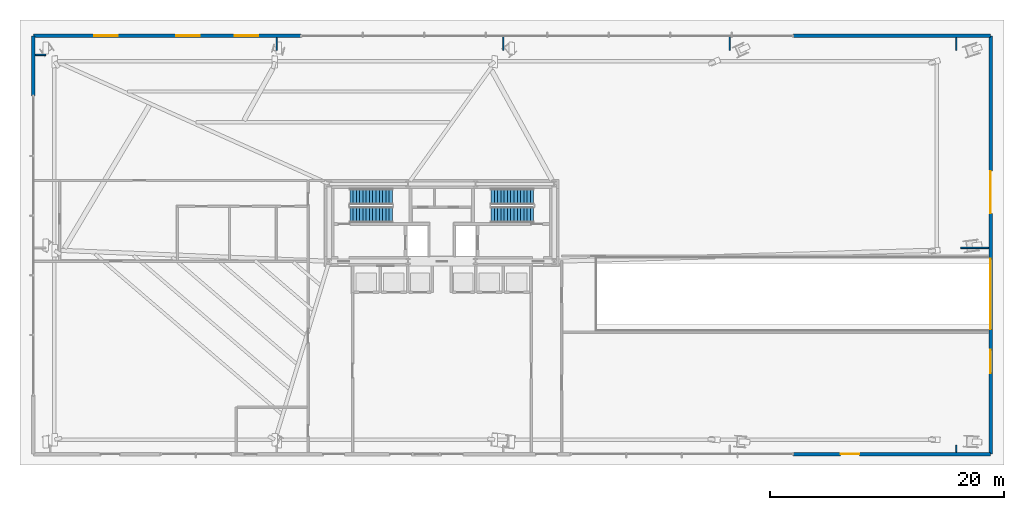
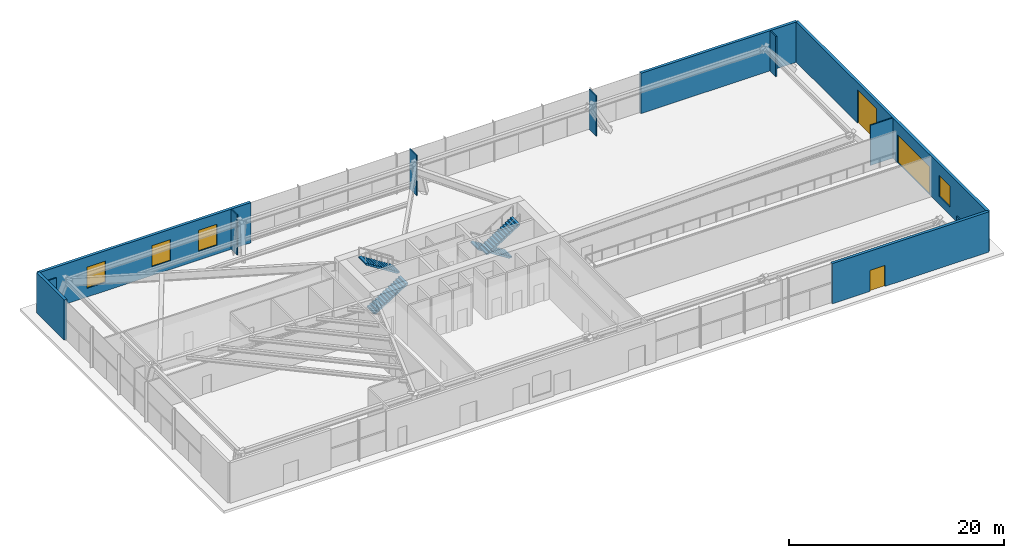
# One storey, part 26 of 31: 12 walls, 4 stair flights, 4 windows, 3 doors, 7 openings, 2 elements without a shape of their own.
"""IFC4 building model written with IfcOpenShell, lengths in metres."""

from ifc_helpers import new_model, si_unit, direction, frame, frame_2d, origin, place, context, subcontext, project, spatial, polyline, rectangle, outline, extrude, source, transform, mapped, material, layer, layer_set, type_object, type_shapes, element, fill, aggregate, save


model = new_model("IFC4")

# Units and contexts
model_context = context("Model", 3, precision=1e-05, world=origin(), true_north=direction((0.0, 1.0)))
body_context = subcontext(model_context, "Body", "Model", "MODEL_VIEW")
ifc_project = project(units=[si_unit("LENGTHUNIT", "METRE"), si_unit("AREAUNIT", "SQUARE_METRE"), si_unit("VOLUMEUNIT", "CUBIC_METRE"), si_unit("PLANEANGLEUNIT", "RADIAN"), si_unit("MASSUNIT", "GRAM", prefix="KILO")], contexts=[model_context])

# Site, building, storey
site_placement = place(None, origin())
site = spatial("IfcSite", under=ifc_project, at=site_placement, CompositionType="ELEMENT")
building_placement = place(site_placement, origin())
building = spatial("IfcBuilding", under=site, at=building_placement, Name="Astriad Promenade Condominiums", CompositionType="ELEMENT")
storey_placement = place(building_placement, origin())
storey = spatial("IfcBuildingStorey", under=building, at=storey_placement, Name="L00", CompositionType="ELEMENT", Elevation=0.0)

# Wall
ifc_material_1 = material(Name="Precast concrete C50/60", Category="concrete")
ifc_layer_1 = layer(ifc_material_1, 0.300048828125)
ifc_layer_set_1 = layer_set([ifc_layer_1], Name="Precast concrete C50/60")
wall_type_1 = type_object("IfcWallType", Name="WALL-EXT-POD-300", PredefinedType="STANDARD", material=ifc_layer_set_1)
wall_1_placement = place(storey_placement, frame((1.14990234375, 31.5, 0.0), z_axis=(0.0, 0.0, 1.0), x_axis=(0.0, 1.0, 0.0)))
element("IfcWall", 1, at=wall_1_placement, inside=storey, type_object=wall_type_1, Name="W-EXT-L00-W2", PredefinedType="STANDARD", context=body_context, shape_type="SweptSolid", body=[
    extrude(rectangle(XDim=5.14990234375, YDim=0.300048828125, at=frame_2d((2.574951171875, 0.0))), origin(), (0.0, 0.0, 1.0), 4.580078125),
])

# Wall, openings, windows
wall_2_placement = place(storey_placement, frame((1.14990234375, 36.64990234375, 0.0), z_axis=(0.0, 0.0, 1.0), x_axis=(1.0, 0.0, 0.0)))
wall_2 = element("IfcWall", 2, at=wall_2_placement, inside=storey, type_object=wall_type_1, Name="W-EXT-L00-N1", PredefinedType="STANDARD", context=body_context, shape_type="SweptSolid", body=[
    extrude(rectangle(XDim=22.85009765625, YDim=0.300048828125, at=frame_2d((11.425048828125, 0.0))), origin(), (0.0, 0.0, 1.0), 4.580078125),
])
opening_1_placement = place(wall_2_placement, frame((5.199951171875, 0.0, 1.0)))
opening_1 = element("IfcOpeningElement", 3, at=opening_1_placement, cuts=wall_2, Name="Opening WIN-POD-2024", PredefinedType="OPENING", context=body_context, shape_type="SweptSolid", body=[
    extrude(rectangle(XDim=2.0, YDim=2.39990234375, at=frame_2d((1.0, 1.199951171875))), frame((0.0, 0.159912109375, 0.0), z_axis=(0.0, -1.0, 0.0), x_axis=(1.0, 0.0, 0.0)), (0.0, 0.0, 1.0), 0.320068359375),
])
opening_2_placement = place(wall_2_placement, frame((12.199951171875, 0.0, 1.0)))
opening_2 = element("IfcOpeningElement", 4, at=opening_2_placement, cuts=wall_2, Name="Opening WIN-POD-2024", PredefinedType="OPENING", context=body_context, shape_type="SweptSolid", body=[
    extrude(rectangle(XDim=2.0, YDim=2.39990234375, at=frame_2d((1.0, 1.199951171875))), frame((0.0, 0.159912109375, 0.0), z_axis=(0.0, -1.0, 0.0), x_axis=(1.0, 0.0, 0.0)), (0.0, 0.0, 1.0), 0.320068359375),
])
opening_3_placement = place(wall_2_placement, frame((17.199951171875, 0.0, 1.0)))
opening_3 = element("IfcOpeningElement", 5, at=opening_3_placement, cuts=wall_2, Name="Opening WIN-POD-2024", PredefinedType="OPENING", context=body_context, shape_type="SweptSolid", body=[
    extrude(rectangle(XDim=2.0, YDim=2.39990234375, at=frame_2d((1.0, 1.199951171875))), frame((0.0, 0.159912109375, 0.0), z_axis=(0.0, -1.0, 0.0), x_axis=(1.0, 0.0, 0.0)), (0.0, 0.0, 1.0), 0.320068359375),
])
ifc_material_2 = material(Name="Dark Tinted Storefront Window")
window_type = type_object("IfcWindowType", Name="WIN-POD-2024", PartitioningType="SINGLE_PANEL", PredefinedType="WINDOW", material=ifc_material_2)
shared_shape_1 = source(origin(), body_context, "Body", "SweptSolid", [
    extrude(rectangle(XDim=2.0, YDim=2.39990234375, at=frame_2d((1.0, 1.199951171875))), frame((0.0, 0.030029296875, 0.0), z_axis=(0.0, -1.0, 0.0), x_axis=(1.0, 0.0, 0.0)), (0.0, 0.0, 1.0), 0.06005859375),
])
type_shapes(window_type, [shared_shape_1])
window_1_placement = place(opening_1_placement, origin())
window_1 = element("IfcWindow", 6, at=window_1_placement, inside=storey, type_object=window_type, Name="WIN-L00-N-1", OverallHeight=2.39990234375, OverallWidth=2.0, PartitioningType="SINGLE_PANEL", PredefinedType="WINDOW", context=body_context, shape_type="MappedRepresentation", body=[
    mapped(shared_shape_1, transform((0.0, 0.0, 0.0), scale=1.0)),
])
fill(opening_1, window_1)
window_2_placement = place(opening_2_placement, origin())
window_2 = element("IfcWindow", 7, at=window_2_placement, inside=storey, type_object=window_type, Name="WIN-L00-N-2", OverallHeight=2.39990234375, OverallWidth=2.0, PartitioningType="SINGLE_PANEL", PredefinedType="WINDOW", context=body_context, shape_type="MappedRepresentation", body=[
    mapped(shared_shape_1, transform((0.0, 0.0, 0.0), scale=1.0)),
])
fill(opening_2, window_2)
window_3_placement = place(opening_3_placement, origin())
window_3 = element("IfcWindow", 8, at=window_3_placement, inside=storey, type_object=window_type, Name="WIN-L00-N-3", OverallHeight=2.39990234375, OverallWidth=2.0, PartitioningType="SINGLE_PANEL", PredefinedType="WINDOW", context=body_context, shape_type="MappedRepresentation", body=[
    mapped(shared_shape_1, transform((0.0, 0.0, 0.0), scale=1.0)),
])
fill(opening_3, window_3)

# Wall
wall_3_placement = place(storey_placement, frame((66.0, 36.64990234375, 0.0), z_axis=(0.0, 0.0, 1.0), x_axis=(1.0, 0.0, 0.0)))
element("IfcWall", 9, at=wall_3_placement, inside=storey, type_object=wall_type_1, Name="W-EXT-L00-N2", PredefinedType="STANDARD", context=body_context, shape_type="SweptSolid", body=[
    extrude(rectangle(XDim=16.85009765625, YDim=0.300048828125, at=frame_2d((8.425048828125, 0.0))), origin(), (0.0, 0.0, 1.0), 4.580078125),
])

# Wall, openings, window, doors
wall_4_placement = place(storey_placement, frame((82.85009765625, 36.64990234375, 0.0), z_axis=(0.0, 0.0, 1.0), x_axis=(0.0, -1.0, 0.0)))
wall_4 = element("IfcWall", 10, at=wall_4_placement, inside=storey, type_object=wall_type_1, Name="W-EXT-L00-E1", PredefinedType="STANDARD", context=body_context, shape_type="SweptSolid", body=[
    extrude(rectangle(XDim=35.699951171875, YDim=0.300048828125, at=frame_2d((17.85009765625, 0.0))), origin(), (0.0, 0.0, 1.0), 4.580078125),
])
opening_4_placement = place(wall_4_placement, frame((11.550048828125, 0.0, 0.0)))
opening_4 = element("IfcOpeningElement", 11, at=opening_4_placement, cuts=wall_4, Name="Opening LG-3638-DOCK", PredefinedType="OPENING", context=body_context, shape_type="SweptSolid", body=[
    extrude(rectangle(XDim=3.60009765625, YDim=3.800048828125, at=frame_2d((1.800048828125, 1.89990234375))), frame((0.0, 0.159912109375, 0.0), z_axis=(0.0, -1.0, 0.0), x_axis=(1.0, 0.0, 0.0)), (0.0, 0.0, 1.0), 0.320068359375),
])
opening_5_placement = place(wall_4_placement, frame((19.050048828125, 0.0, 0.0)))
opening_5 = element("IfcOpeningElement", 12, at=opening_5_placement, cuts=wall_4, Name="Opening VG-6032-RAMP", PredefinedType="OPENING", context=body_context, shape_type="SweptSolid", body=[
    extrude(rectangle(XDim=6.0, YDim=3.199951171875, at=frame_2d((3.0, 1.60009765625))), frame((0.0, 0.159912109375, 0.0), z_axis=(0.0, -1.0, 0.0), x_axis=(1.0, 0.0, 0.0)), (0.0, 0.0, 1.0), 0.320068359375),
])
opening_6_placement = place(wall_4_placement, frame((26.800048828125, 0.0, 0.89990234375)))
opening_6 = element("IfcOpeningElement", 13, at=opening_6_placement, cuts=wall_4, Name="Opening WIN-POD-2024", PredefinedType="OPENING", context=body_context, shape_type="SweptSolid", body=[
    extrude(rectangle(XDim=2.0, YDim=2.39990234375, at=frame_2d((1.0, 1.199951171875))), frame((0.0, 0.159912109375, 0.0), z_axis=(0.0, -1.0, 0.0), x_axis=(1.0, 0.0, 0.0)), (0.0, 0.0, 1.0), 0.320068359375),
])
window_4_placement = place(opening_6_placement, origin())
window_4 = element("IfcWindow", 14, at=window_4_placement, inside=storey, type_object=window_type, Name="WIN-L00-E1", OverallHeight=2.39990234375, OverallWidth=2.0, PartitioningType="SINGLE_PANEL", PredefinedType="WINDOW", context=body_context, shape_type="MappedRepresentation", body=[
    mapped(shared_shape_1, transform((0.0, 0.0, 0.0), scale=1.0)),
])
fill(opening_6, window_4)
ifc_material_3 = material(Name="Insulated Galvanised Steel Loading Shutter", Category="steel")
door_type_1 = type_object("IfcDoorType", Name="LG-3638-DOCK", OperationType="NOTDEFINED", PredefinedType="GATE", material=ifc_material_3)
shared_shape_2 = source(origin(), body_context, "Body", "SweptSolid", [
    extrude(rectangle(XDim=3.60009765625, YDim=3.800048828125, at=frame_2d((1.800048828125, 1.89990234375))), frame((0.0, 0.02490234375, 0.0), z_axis=(0.0, -1.0, 0.0), x_axis=(1.0, 0.0, 0.0)), (0.0, 0.0, 1.0), 0.050048828125),
])
type_shapes(door_type_1, [shared_shape_2])
door_1_placement = place(opening_4_placement, origin())
door_1 = element("IfcDoor", 15, at=door_1_placement, inside=storey, type_object=door_type_1, Name="LG1", OperationType="ROLLINGUP", OverallHeight=3.800048828125, OverallWidth=3.60009765625, PredefinedType="GATE", context=body_context, shape_type="MappedRepresentation", body=[
    mapped(shared_shape_2, transform((0.0, 0.0, 0.0), scale=1.0)),
])
fill(opening_4, door_1)
ifc_material_4 = material(Name="Insulated Galvanised Steel High-Speed Shutter", Category="steel")
door_type_2 = type_object("IfcDoorType", Name="VG-6032-RAMP", OperationType="NOTDEFINED", PredefinedType="GATE", material=ifc_material_4)
shared_shape_3 = source(origin(), body_context, "Body", "SweptSolid", [
    extrude(rectangle(XDim=6.0, YDim=3.199951171875, at=frame_2d((3.0, 1.60009765625))), frame((0.0, 0.02490234375, 0.0), z_axis=(0.0, -1.0, 0.0), x_axis=(1.0, 0.0, 0.0)), (0.0, 0.0, 1.0), 0.050048828125),
])
type_shapes(door_type_2, [shared_shape_3])
door_2_placement = place(opening_5_placement, origin())
door_2 = element("IfcDoor", 16, at=door_2_placement, inside=storey, type_object=door_type_2, Name="VG1", OperationType="ROLLINGUP", OverallHeight=3.199951171875, OverallWidth=6.0, PredefinedType="GATE", context=body_context, shape_type="MappedRepresentation", body=[
    mapped(shared_shape_3, transform((0.0, 0.0, 0.0), scale=1.0)),
])
fill(opening_5, door_2)

# Wall, opening, door
wall_5_placement = place(storey_placement, frame((82.85009765625, 0.949951171875, 0.0), z_axis=(0.0, 0.0, 1.0), x_axis=(-1.0, 0.0, 0.0)))
wall_5 = element("IfcWall", 17, at=wall_5_placement, inside=storey, type_object=wall_type_1, Name="W-EXT-L00-S1", PredefinedType="STANDARD", context=body_context, shape_type="SweptSolid", body=[
    extrude(rectangle(XDim=16.85009765625, YDim=0.300048828125, at=frame_2d((8.425048828125, 0.0))), origin(), (0.0, 0.0, 1.0), 4.580078125),
])
opening_7_placement = place(wall_5_placement, frame((11.199951171875, 0.0, 0.0)))
opening_7 = element("IfcOpeningElement", 18, at=opening_7_placement, cuts=wall_5, Name="Opening ED-1624-RET", PredefinedType="OPENING", context=body_context, shape_type="SweptSolid", body=[
    extrude(rectangle(XDim=1.60009765625, YDim=2.39990234375, at=frame_2d((0.800048828125, 1.199951171875))), frame((0.0, 0.159912109375, 0.0), z_axis=(0.0, -1.0, 0.0), x_axis=(1.0, 0.0, 0.0)), (0.0, 0.0, 1.0), 0.320068359375),
])
ifc_material_5 = material(Name="Anodised Aluminium Storefront Door", Category="aluminium")
door_type_3 = type_object("IfcDoorType", Name="ED-1624-RET", OperationType="NOTDEFINED", PredefinedType="DOOR", material=ifc_material_5)
shared_shape_4 = source(origin(), body_context, "Body", "SweptSolid", [
    extrude(rectangle(XDim=1.60009765625, YDim=2.39990234375, at=frame_2d((0.800048828125, 1.199951171875))), frame((0.0, 0.02490234375, 0.0), z_axis=(0.0, -1.0, 0.0), x_axis=(1.0, 0.0, 0.0)), (0.0, 0.0, 1.0), 0.050048828125),
])
type_shapes(door_type_3, [shared_shape_4])
door_3_placement = place(opening_7_placement, origin())
door_3 = element("IfcDoor", 19, at=door_3_placement, inside=storey, type_object=door_type_3, Name="D-RETE-EXT", OperationType="DOUBLE_DOOR_SINGLE_SWING", OverallHeight=2.39990234375, OverallWidth=1.60009765625, PredefinedType="DOOR", context=body_context, shape_type="MappedRepresentation", body=[
    mapped(shared_shape_4, transform((0.0, 0.0, 0.0), scale=1.0)),
])
fill(opening_7, door_3)

# Walls
ifc_material_6 = material(Name="Acoustic Metal-Stud Gypsum Partition")
ifc_layer_2 = layer(ifc_material_6, 0.1201171875)
ifc_layer_set_2 = layer_set([ifc_layer_2], Name="Acoustic Metal-Stud Gypsum Partition")
wall_type_2 = type_object("IfcWallType", Name="WALL-PART-120", PredefinedType="PARTITIONING", material=ifc_layer_set_2)
wall_6_placement = place(storey_placement, frame((79.919921875, 1.699951171875, 0.0), z_axis=(0.0, 0.0, 1.0), x_axis=(0.0, -1.0, 0.0)))
element("IfcWall", 20, at=wall_6_placement, inside=storey, type_object=wall_type_2, Name="PT-PIL-L00-PC05-12", PredefinedType="PARTITIONING", context=body_context, shape_type="SweptSolid", body=[
    extrude(rectangle(XDim=0.597900390625, YDim=0.1201171875, at=frame_2d((0.298828125, 0.0))), origin(), (0.0, 0.0, 1.0), 4.580078125),
])
wall_7_placement = place(storey_placement, frame((2.199951171875, 35.02001953125, 0.0), z_axis=(0.0, 0.0, 1.0), x_axis=(-1.0, 0.0, 0.0)))
element("IfcWall", 21, at=wall_7_placement, inside=storey, type_object=wall_type_2, Name="PT-PIL-L00-PC06-13", PredefinedType="PARTITIONING", context=body_context, shape_type="SweptSolid", body=[
    extrude(rectangle(XDim=0.89794921875, YDim=0.1201171875, at=frame_2d((0.448974609375, 0.0))), origin(), (0.0, 0.0, 1.0), 4.580078125),
])
wall_8_placement = place(storey_placement, frame((21.9150390625, 35.39990234375, 0.0), z_axis=(0.0, 0.0, 1.0), x_axis=(0.0, 1.0, 0.0)))
element("IfcWall", 22, at=wall_8_placement, inside=storey, type_object=wall_type_2, Name="PT-PIL-L00-PC07-14", PredefinedType="PARTITIONING", context=body_context, shape_type="SweptSolid", body=[
    extrude(rectangle(XDim=1.09814453125, YDim=0.1201171875, at=frame_2d((0.549072265625, 0.0))), origin(), (0.0, 0.0, 1.0), 4.580078125),
])
for number, where, z_axis, x_axis, name in (
    (23, (41.25, 35.39990234375, 0.0), (0.0, 0.0, 1.0), (0.0, 1.0, 0.0), "PT-PIL-L00-PC08-15"),
    (24, (60.5849609375, 35.39990234375, 0.0), (0.0, 0.0, 1.0), (0.0, 1.0, 0.0), "PT-PIL-L00-PC09-16"),
):
    element("IfcWall", number, at=place(storey_placement, frame(where, z_axis=z_axis, x_axis=x_axis)), inside=storey, type_object=wall_type_2, Name=name, PredefinedType="PARTITIONING", context=body_context, shape_type="SweptSolid", body=[
        extrude(rectangle(XDim=1.320068359375, YDim=0.1201171875, at=frame_2d((0.66015625, 0.0))), origin(), (0.0, 0.0, 1.0), 4.580078125),
    ])
wall_9_placement = place(storey_placement, frame((79.919921875, 35.39990234375, 0.0), z_axis=(0.0, 0.0, 1.0), x_axis=(0.0, 1.0, 0.0)))
element("IfcWall", 25, at=wall_9_placement, inside=storey, type_object=wall_type_2, Name="PT-PIL-L00-PC10-17", PredefinedType="PARTITIONING", context=body_context, shape_type="SweptSolid", body=[
    extrude(rectangle(XDim=1.09814453125, YDim=0.1201171875, at=frame_2d((0.549072265625, 0.0))), origin(), (0.0, 0.0, 1.0), 4.580078125),
])
wall_10_placement = place(storey_placement, frame((80.300048828125, 18.550048828125, 0.0), z_axis=(0.0, 0.0, 1.0), x_axis=(1.0, 0.0, 0.0)))
element("IfcWall", 26, at=wall_10_placement, inside=storey, type_object=wall_type_2, Name="PT-PIL-L00-PC12-19", PredefinedType="PARTITIONING", context=body_context, shape_type="SweptSolid", body=[
    extrude(rectangle(XDim=2.39794921875, YDim=0.1201171875, at=frame_2d((1.198974609375, 0.0))), origin(), (0.0, 0.0, 1.0), 4.580078125),
])

# Stair, stair flights
ifc_material_7 = material(Name="Concrete C50/60", Category="concrete")
stair_type = type_object("IfcStairType", Name="STR-CORE-1350", PredefinedType="HALF_TURN_STAIR", material=ifc_material_7)
stair_1_placement = place(storey_placement, origin())
stair_1 = element("IfcStair", 27, at=stair_1_placement, inside=storey, type_object=stair_type, Name="L00 Enclosed Core Exit Stair ST-1", PredefinedType="HALF_TURN_STAIR")
stair_flight_type = type_object("IfcStairFlightType", Name="SFL-CORE-1350", PredefinedType="STRAIGHT", material=ifc_material_7)
shared_shape_5 = source(origin(), body_context, "Body", "SweptSolid", [
    extrude(outline(polyline([(0.0, 0.0), (0.0, 0.178466796875), (0.280029296875, 0.178466796875), (0.280029296875, 0.357177734375), (0.56005859375, 0.357177734375), (0.56005859375, 0.53564453125), (0.840087890625, 0.53564453125), (0.840087890625, 0.71435546875), (1.1201171875, 0.71435546875), (1.1201171875, 0.892822265625), (1.39990234375, 0.892822265625), (1.39990234375, 1.071533203125), (1.679931640625, 1.071533203125), (1.679931640625, 1.25), (1.9599609375, 1.25), (1.9599609375, 1.428466796875), (2.239990234375, 1.428466796875), (2.239990234375, 1.607177734375), (2.52001953125, 1.607177734375), (2.52001953125, 1.78564453125), (2.800048828125, 1.78564453125), (2.800048828125, 1.96435546875), (3.080078125, 1.96435546875), (3.080078125, 2.142822265625), (3.360107421875, 2.142822265625), (3.360107421875, 2.321533203125), (3.639892578125, 2.321533203125), (3.639892578125, 2.5), (3.639892578125, 2.1435546875), (0.27880859375, 0.0), (0.0, 0.0)])), frame((0.0, 0.675048828125, 0.0), z_axis=(0.0, -1.0, 0.0), x_axis=(1.0, 0.0, 0.0)), (0.0, 0.0, 1.0), 1.35009765625),
])
type_shapes(stair_flight_type, [shared_shape_5])
stair_flight_1_placement = place(storey_placement, frame((28.14990234375, 21.375, 0.0), z_axis=(0.0, 0.0, 1.0), x_axis=(1.0, 0.0, 0.0)))
stair_flight_1 = element("IfcStairFlight", 28, at=stair_flight_1_placement, type_object=stair_flight_type, Name="ST-1 flight 1", NumberOfRisers=14, NumberOfTreads=13, PredefinedType="STRAIGHT", RiserHeight=0.178571429, TreadLength=0.28, context=body_context, shape_type="MappedRepresentation", body=[
    mapped(shared_shape_5, transform((0.0, 0.0, 0.0), scale=1.0)),
])
stair_flight_2_placement = place(storey_placement, frame((31.7900390625, 22.925048828125, 2.5), z_axis=(0.0, 0.0, 1.0), x_axis=(-1.0, 0.0, 0.0)))
stair_flight_2 = element("IfcStairFlight", 29, at=stair_flight_2_placement, type_object=stair_flight_type, Name="ST-1 flight 2", NumberOfRisers=14, NumberOfTreads=13, PredefinedType="STRAIGHT", RiserHeight=0.178571429, TreadLength=0.28, context=body_context, shape_type="MappedRepresentation", body=[
    mapped(shared_shape_5, transform((0.0, 0.0, 0.0), scale=1.0)),
])
aggregate(stair_1, [stair_flight_1, stair_flight_2])

stair_2_placement = place(storey_placement, origin())
stair_2 = element("IfcStair", 30, at=stair_2_placement, inside=storey, type_object=stair_type, Name="L00 Enclosed Core Exit Stair ST-2", PredefinedType="HALF_TURN_STAIR")
stair_flight_3_placement = place(storey_placement, frame((43.85009765625, 22.925048828125, 0.0), z_axis=(0.0, 0.0, 1.0), x_axis=(-1.0, 0.0, 0.0)))
stair_flight_3 = element("IfcStairFlight", 31, at=stair_flight_3_placement, type_object=stair_flight_type, Name="ST-2 flight 1", NumberOfRisers=14, NumberOfTreads=13, PredefinedType="STRAIGHT", RiserHeight=0.178571429, TreadLength=0.28, context=body_context, shape_type="MappedRepresentation", body=[
    mapped(shared_shape_5, transform((0.0, 0.0, 0.0), scale=1.0)),
])
stair_flight_4_placement = place(storey_placement, frame((40.2099609375, 21.375, 2.5), z_axis=(0.0, 0.0, 1.0), x_axis=(1.0, 0.0, 0.0)))
stair_flight_4 = element("IfcStairFlight", 32, at=stair_flight_4_placement, type_object=stair_flight_type, Name="ST-2 flight 2", NumberOfRisers=14, NumberOfTreads=13, PredefinedType="STRAIGHT", RiserHeight=0.178571429, TreadLength=0.28, context=body_context, shape_type="MappedRepresentation", body=[
    mapped(shared_shape_5, transform((0.0, 0.0, 0.0), scale=1.0)),
])
aggregate(stair_2, [stair_flight_3, stair_flight_4])

save(model, "model.ifc")
